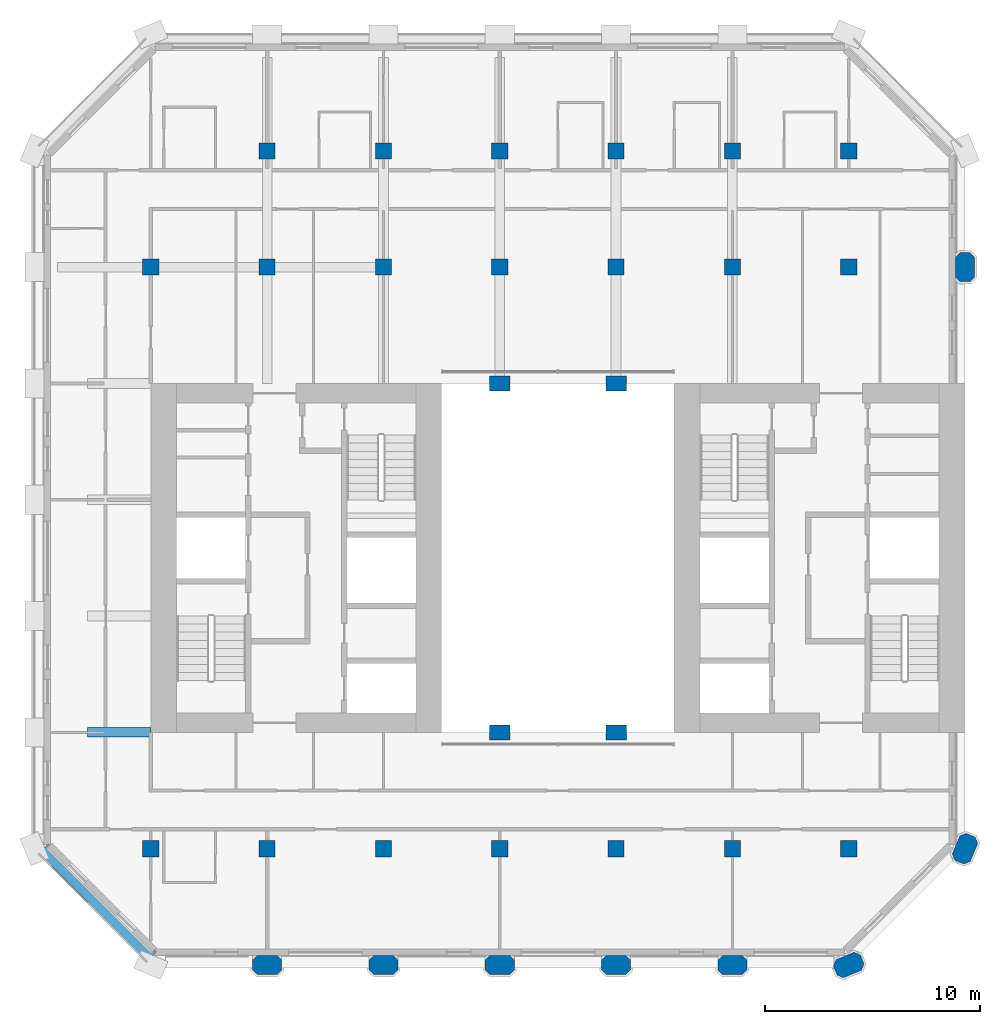
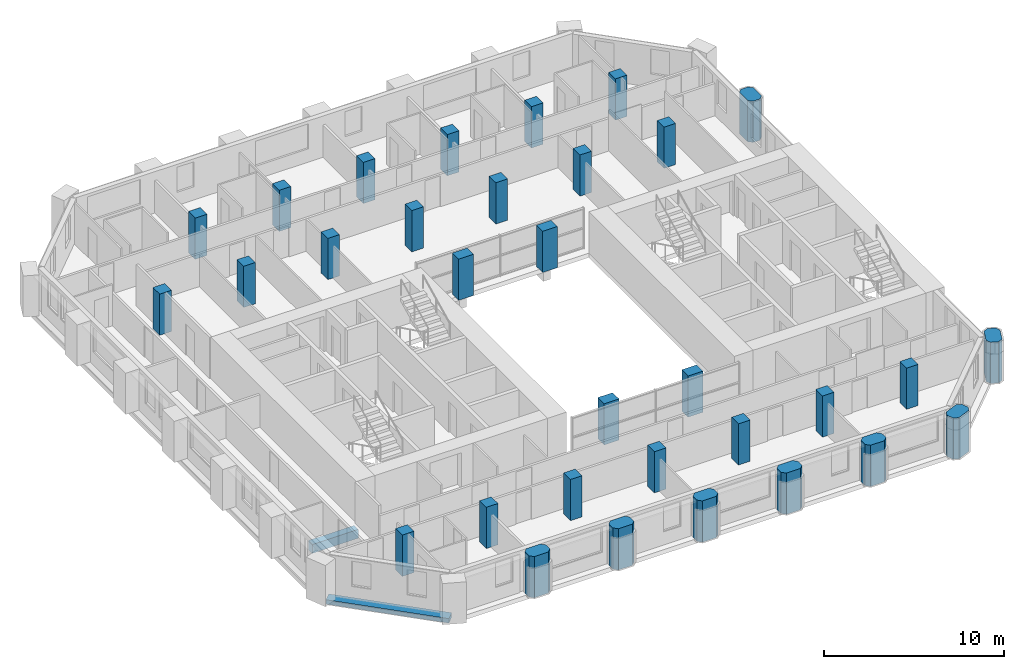
# One storey, part 1 of 14: 32 columns, 2 beams.
"""IFC4 building model written with IfcOpenShell, lengths in metres."""

from ifc_helpers import new_model, si_unit, direction, frame, origin, origin_2d, place, context, subcontext, project, spatial, polyline, rectangle, outline, extrude, material, material_profile, profile_set, type_object, element, save


model = new_model("IFC4")

# Units and contexts
model_context = context("Model", 3, precision=1e-05, world=origin(), true_north=direction((0.0, 1.0)))
body_context = subcontext(model_context, "Body", "Model", "MODEL_VIEW")
ifc_project = project(units=[si_unit("LENGTHUNIT", "METRE"), si_unit("AREAUNIT", "SQUARE_METRE"), si_unit("VOLUMEUNIT", "CUBIC_METRE"), si_unit("PLANEANGLEUNIT", "RADIAN"), si_unit("MASSUNIT", "GRAM", prefix="KILO")], contexts=[model_context])

# Site, building, storey
site_placement = place(None, origin())
site = spatial("IfcSite", under=ifc_project, at=site_placement, CompositionType="ELEMENT")
building_placement = place(site_placement, origin())
building = spatial("IfcBuilding", under=site, at=building_placement, Name="Tabaq Tower and Sports Hall", CompositionType="ELEMENT")
storey_placement = place(building_placement, frame((0.0, 0.0, 230.199951171875)))
storey = spatial("IfcBuildingStorey", under=building, at=storey_placement, Name="L58", CompositionType="ELEMENT", Elevation=230.199951171875)

# Columns
ifc_material_1 = material(Name="Concrete C50/60", Category="concrete")
ifc_material_profile_1 = material_profile(ifc_material_1, rectangle(XDim=0.949951171875, YDim=0.699951171875, at=origin_2d()), Name="ATRIUM COLUMN 950x700")
ifc_profile_set_1 = profile_set([ifc_material_profile_1], Name="Concrete C50/60")
column_type_1 = type_object("IfcColumnType", Name="RC COLUMN ATRIUM COLUMN 950x700 C50/60", PredefinedType="COLUMN", material=ifc_profile_set_1)
for number, where, z_axis, x_axis, name in (
    (1, (21.60009765625, 16.199951171875, 0.0), (0.0, 0.0, 1.0), (1.0, 0.0, 0.0), "Atrium Column 5/D L58"),
    (2, (27.0, 16.199951171875, 0.0), (0.0, 0.0, 1.0), (1.0, 0.0, 0.0), "Atrium Column 6/D L58"),
    (3, (21.60009765625, 32.39990234375, 0.0), (0.0, 0.0, 1.0), (1.0, 0.0, 0.0), "Atrium Column 5/G L58"),
    (4, (27.0, 32.39990234375, 0.0), (0.0, 0.0, 1.0), (1.0, 0.0, 0.0), "Atrium Column 6/G L58"),
):
    element("IfcColumn", number, at=place(storey_placement, frame(where, z_axis=z_axis, x_axis=x_axis)), inside=storey, type_object=column_type_1, Name=name, PredefinedType="COLUMN", context=body_context, shape_type="SweptSolid", body=[
        extrude(rectangle(XDim=0.949951171875, YDim=0.699951171875, at=origin_2d()), origin(), (0.0, 0.0, 1.0), 2.800048828125),
    ])
ifc_material_2 = material(Name="Concrete C50/60", Category="concrete")
ifc_material_profile_2 = material_profile(ifc_material_2, rectangle(XDim=0.75, YDim=0.75, at=origin_2d()), Name="COLUMN 750x750")
ifc_profile_set_2 = profile_set([ifc_material_profile_2], Name="Concrete C50/60")
column_type_2 = type_object("IfcColumnType", Name="RC COLUMN COLUMN 750x750 C50/60", PredefinedType="COLUMN", material=ifc_profile_set_2)
for number, where, z_axis, x_axis, name in (
    (5, (5.39990234375, 10.800048828125, 0.0), (0.0, 0.0, 1.0), (1.0, 0.0, 0.0), "Column 2/C L58"),
    (6, (10.800048828125, 10.800048828125, 0.0), (0.0, 0.0, 1.0), (1.0, 0.0, 0.0), "Column 3/C L58"),
    (7, (16.199951171875, 10.800048828125, 0.0), (0.0, 0.0, 1.0), (1.0, 0.0, 0.0), "Column 4/C L58"),
    (8, (21.60009765625, 10.800048828125, 0.0), (0.0, 0.0, 1.0), (1.0, 0.0, 0.0), "Column 5/C L58"),
    (9, (27.0, 10.800048828125, 0.0), (0.0, 0.0, 1.0), (1.0, 0.0, 0.0), "Column 6/C L58"),
    (10, (32.39990234375, 10.800048828125, 0.0), (0.0, 0.0, 1.0), (1.0, 0.0, 0.0), "Column 7/C L58"),
    (11, (37.800048828125, 10.800048828125, 0.0), (0.0, 0.0, 1.0), (1.0, 0.0, 0.0), "Column 8/C L58"),
    (12, (5.39990234375, 37.800048828125, 0.0), (0.0, 0.0, 1.0), (1.0, 0.0, 0.0), "Column 2/H L58"),
    (13, (10.800048828125, 37.800048828125, 0.0), (0.0, 0.0, 1.0), (1.0, 0.0, 0.0), "Column 3/H L58"),
    (14, (16.199951171875, 37.800048828125, 0.0), (0.0, 0.0, 1.0), (1.0, 0.0, 0.0), "Column 4/H L58"),
    (15, (21.60009765625, 37.800048828125, 0.0), (0.0, 0.0, 1.0), (1.0, 0.0, 0.0), "Column 5/H L58"),
    (16, (27.0, 37.800048828125, 0.0), (0.0, 0.0, 1.0), (1.0, 0.0, 0.0), "Column 6/H L58"),
    (17, (32.39990234375, 37.800048828125, 0.0), (0.0, 0.0, 1.0), (1.0, 0.0, 0.0), "Column 7/H L58"),
    (18, (37.800048828125, 37.800048828125, 0.0), (0.0, 0.0, 1.0), (1.0, 0.0, 0.0), "Column 8/H L58"),
    (19, (10.800048828125, 43.199951171875, 0.0), (0.0, 0.0, 1.0), (1.0, 0.0, 0.0), "Column 3/I L58"),
    (20, (16.199951171875, 43.199951171875, 0.0), (0.0, 0.0, 1.0), (1.0, 0.0, 0.0), "Column 4/I L58"),
    (21, (21.60009765625, 43.199951171875, 0.0), (0.0, 0.0, 1.0), (1.0, 0.0, 0.0), "Column 5/I L58"),
    (22, (27.0, 43.199951171875, 0.0), (0.0, 0.0, 1.0), (1.0, 0.0, 0.0), "Column 6/I L58"),
    (23, (32.39990234375, 43.199951171875, 0.0), (0.0, 0.0, 1.0), (1.0, 0.0, 0.0), "Column 7/I L58"),
    (24, (37.800048828125, 43.199951171875, 0.0), (0.0, 0.0, 1.0), (1.0, 0.0, 0.0), "Column 8/I L58"),
):
    element("IfcColumn", number, at=place(storey_placement, frame(where, z_axis=z_axis, x_axis=x_axis)), inside=storey, type_object=column_type_2, Name=name, PredefinedType="COLUMN", context=body_context, shape_type="SweptSolid", body=[
        extrude(rectangle(XDim=0.75, YDim=0.75, at=origin_2d()), origin(), (0.0, 0.0, 1.0), 2.800048828125),
    ])
ifc_material_3 = material(Name="Concrete C50/60", Category="concrete")
ifc_material_profile_3 = material_profile(ifc_material_3, outline(polyline([(-0.449951171875, -0.449951171875), (0.449951171875, -0.449951171875), (0.675048828125, -0.22509765625), (0.675048828125, 0.22509765625), (0.449951171875, 0.449951171875), (-0.449951171875, 0.449951171875), (-0.675048828125, 0.22509765625), (-0.675048828125, -0.22509765625), (-0.449951171875, -0.449951171875)])), Name="PIER 1350x900")
ifc_profile_set_3 = profile_set([ifc_material_profile_3], Name="Concrete C50/60")
column_type_3 = type_object("IfcColumnType", Name="RC COLUMN PIER 1350x900 C50/60", PredefinedType="COLUMN", material=ifc_profile_set_3)
for number, where, z_axis, x_axis, name in (
    (25, (10.800048828125, 5.39990234375, 0.0), (0.0, 0.0, 1.0), (1.0, 0.0, 0.0), "Pier 3/B L58"),
    (26, (16.199951171875, 5.39990234375, 0.0), (0.0, 0.0, 1.0), (1.0, 0.0, 0.0), "Pier 4/B L58"),
    (27, (21.60009765625, 5.39990234375, 0.0), (0.0, 0.0, 1.0), (1.0, 0.0, 0.0), "Pier 5/B L58"),
    (28, (27.0, 5.39990234375, 0.0), (0.0, 0.0, 1.0), (1.0, 0.0, 0.0), "Pier 6/B L58"),
    (29, (32.39990234375, 5.39990234375, 0.0), (0.0, 0.0, 1.0), (1.0, 0.0, 0.0), "Pier 7/B L58"),
    (30, (37.800048828125, 5.39990234375, 0.0), (0.0, 0.0, 1.0), (0.923879532511, 0.382683432365, 0.0), "Pier 8/B L58"),
    (31, (43.199951171875, 10.800048828125, 0.0), (0.0, 0.0, 1.0), (0.382683432365, 0.923879532511, 0.0), "Pier 9/C L58"),
    (32, (43.199951171875, 37.800048828125, 0.0), (0.0, 0.0, 1.0), (0.0, 1.0, 0.0), "Pier 9/H L58"),
):
    element("IfcColumn", number, at=place(storey_placement, frame(where, z_axis=z_axis, x_axis=x_axis)), inside=storey, type_object=column_type_3, Name=name, PredefinedType="COLUMN", context=body_context, shape_type="SweptSolid", body=[
        extrude(outline(polyline([(-0.449951171875, -0.449951171875), (0.449951171875, -0.449951171875), (0.675048828125, -0.22509765625), (0.675048828125, 0.22509765625), (0.449951171875, 0.449951171875), (-0.449951171875, 0.449951171875), (-0.675048828125, 0.22509765625), (-0.675048828125, -0.22509765625), (-0.449951171875, -0.449951171875)])), origin(), (0.0, 0.0, 1.0), 2.800048828125),
    ])

# Beams
ifc_material_4 = material(Name="Concrete C40/50", Category="concrete")
ifc_material_profile_4 = material_profile(ifc_material_4, rectangle(XDim=0.449951171875, YDim=0.60009765625, at=origin_2d()), Name="CB 450x600")
ifc_profile_set_4 = profile_set([ifc_material_profile_4], Name="Concrete C40/50")
beam_type_1 = type_object("IfcBeamType", Name="PT CANTILEVER BEAM CB 450x600 C40/50", PredefinedType="BEAM", material=ifc_profile_set_4)
beam_1_placement = place(storey_placement, frame((2.449951171875, 16.199951171875, -0.599853515625), z_axis=(1.0, 0.0, 0.0), x_axis=(0.0, 1.0, 0.0)))
element("IfcBeam", 33, at=beam_1_placement, inside=storey, type_object=beam_type_1, Name="Cantilever Beam L58 W3 span 1", PredefinedType="BEAM", context=body_context, shape_type="SweptSolid", body=[
    extrude(rectangle(XDim=0.449951171875, YDim=0.60009765625, at=origin_2d()), origin(), (0.0, 0.0, 1.0), 2.949951171875),
])
ifc_material_5 = material(Name="Concrete C40/50", Category="concrete")
ifc_material_profile_5 = material_profile(ifc_material_5, rectangle(XDim=0.60009765625, YDim=0.300048828125, at=origin_2d()), Name="EB 600x300")
ifc_profile_set_5 = profile_set([ifc_material_profile_5], Name="Concrete C40/50")
beam_type_2 = type_object("IfcBeamType", Name="PT EDGE BEAM EB 600x300 C40/50", PredefinedType="SPANDREL", material=ifc_profile_set_5)
beam_2_placement = place(storey_placement, frame((0.42333984375, 10.801025390625, -0.14990234375), z_axis=(0.707089559252, -0.707124002701, 0.0), x_axis=(0.707124002701, 0.707089559252, 0.0)))
element("IfcBeam", 34, at=beam_2_placement, inside=storey, type_object=beam_type_2, Name="Edge Beam L58 5", PredefinedType="SPANDREL", context=body_context, shape_type="SweptSolid", body=[
    extrude(rectangle(XDim=0.60009765625, YDim=0.300048828125, at=origin_2d()), origin(), (0.0, 0.0, 1.0), 7.088134765625),
])

save(model, "model.ifc")
